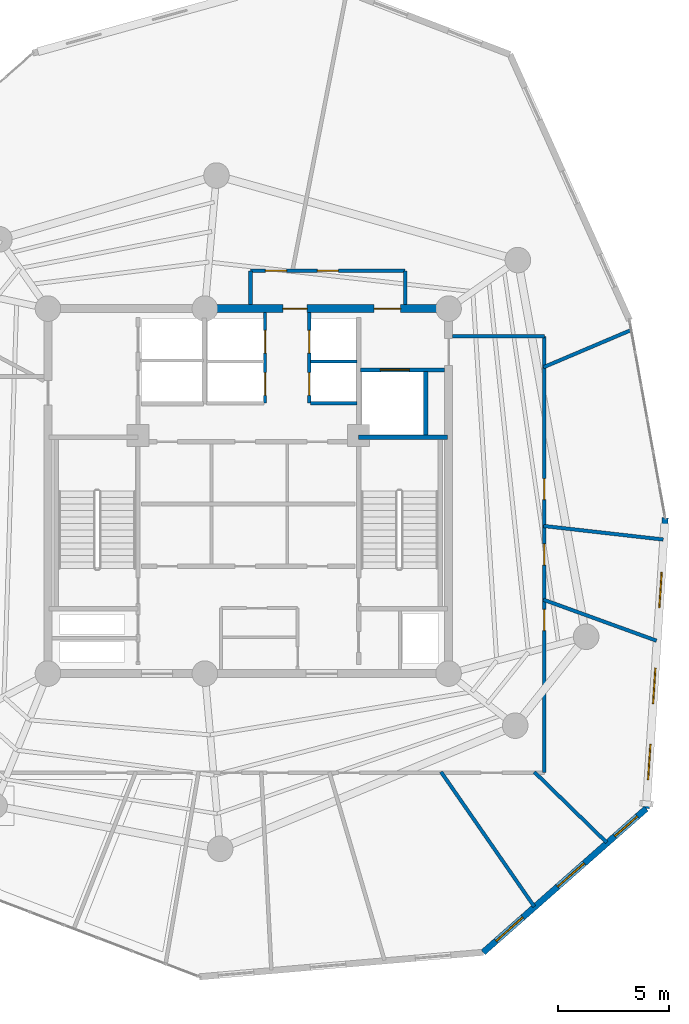
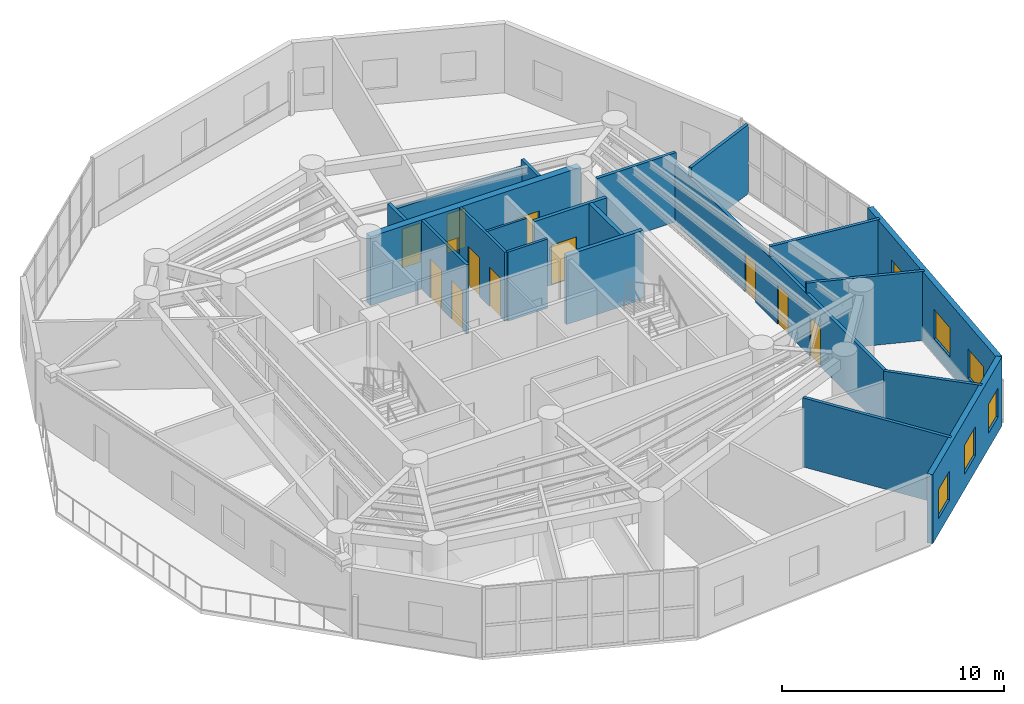
# One storey, part 8 of 12: 20 walls, 12 doors, 6 windows, 18 openings.
"""IFC4 building model written with IfcOpenShell, lengths in metres."""

from ifc_helpers import new_model, si_unit, direction, frame, frame_2d, origin, origin_with_axes, place, context, subcontext, project, spatial, rectangle, extrude, source, transform, mapped, material, layer, layer_set, type_object, element, fill, save


model = new_model("IFC4")

# Units and contexts
model_context = context("Model", 3, precision=1e-05, world=origin(), true_north=direction((0.0, 1.0)))
body_context = subcontext(model_context, "Body", "Model", "MODEL_VIEW")
ifc_project = project(units=[si_unit("LENGTHUNIT", "METRE"), si_unit("AREAUNIT", "SQUARE_METRE"), si_unit("VOLUMEUNIT", "CUBIC_METRE"), si_unit("PLANEANGLEUNIT", "RADIAN"), si_unit("MASSUNIT", "GRAM", prefix="KILO")], contexts=[model_context])

# Site, building, storey
site_placement = place(None, origin())
site = spatial("IfcSite", under=ifc_project, at=site_placement, CompositionType="ELEMENT")
building_placement = place(site_placement, origin())
building = spatial("IfcBuilding", under=site, at=building_placement, Name="Karkom Vertical University and Central Library", CompositionType="ELEMENT")
storey_placement = place(building_placement, frame((0.0, 0.0, 212.89990234375)))
storey = spatial("IfcBuildingStorey", under=building, at=storey_placement, Name="L62", CompositionType="ELEMENT", Elevation=212.89990234375)

# Wall, openings, windows
ifc_material_1 = material(Name="Brick-faced precast concrete C45/55", Category="masonry")
ifc_layer_1 = layer(ifc_material_1, 0.280029296875)
ifc_layer_set_1 = layer_set([ifc_layer_1], Name="Brick-faced precast concrete C45/55")
wall_type_1 = type_object("IfcWallType", Name="ENV-WL-BRK-280", PredefinedType="SOLIDWALL", material=ifc_layer_set_1)
wall_1_placement = place(storey_placement, frame((39.055419921875, 5.775390625, 0.0), z_axis=(0.0, 0.0, 1.0), x_axis=(0.750017300643, 0.661418210164, 0.0)))
wall_1 = element("IfcWall", 1, at=wall_1_placement, inside=storey, type_object=wall_type_1, Name="Level 62 Brick-Faced Precast Facade Wall 04", PredefinedType="SOLIDWALL", context=body_context, shape_type="SweptSolid", body=[
    extrude(rectangle(XDim=9.765625, YDim=0.280029296875, at=frame_2d((4.8828125, 0.0))), origin(), (0.0, 0.0, 1.0), 3.800048828125),
])
opening_1_placement = place(wall_1_placement, frame((0.773193359375, 0.0, 0.85009765625)))
opening_1 = element("IfcOpeningElement", 2, at=opening_1_placement, cuts=wall_1, Name="Opening WN-10", PredefinedType="OPENING", context=body_context, shape_type="SweptSolid", body=[
    extrude(rectangle(XDim=1.60009765625, YDim=1.60009765625, at=frame_2d((0.800048828125, 0.800048828125))), frame((0.0, 0.14990234375, 0.0), z_axis=(0.0, -1.0, 0.0), x_axis=(1.0, 0.0, 0.0)), (0.0, 0.0, 1.0), 0.300048828125),
])
opening_2_placement = place(wall_1_placement, frame((4.455322265625, 0.0, 0.85009765625)))
opening_2 = element("IfcOpeningElement", 3, at=opening_2_placement, cuts=wall_1, Name="Opening WN-10", PredefinedType="OPENING", context=body_context, shape_type="SweptSolid", body=[
    extrude(rectangle(XDim=1.60009765625, YDim=1.60009765625, at=frame_2d((0.800048828125, 0.800048828125))), frame((0.0, 0.14990234375, 0.0), z_axis=(0.0, -1.0, 0.0), x_axis=(1.0, 0.0, 0.0)), (0.0, 0.0, 1.0), 0.300048828125),
])
opening_3_placement = place(wall_1_placement, frame((7.889892578125, 0.0, 0.85009765625)))
opening_3 = element("IfcOpeningElement", 4, at=opening_3_placement, cuts=wall_1, Name="Opening WN-11", PredefinedType="OPENING", context=body_context, shape_type="SweptSolid", body=[
    extrude(rectangle(XDim=1.35009765625, YDim=1.60009765625, at=frame_2d((0.675048828125, 0.800048828125))), frame((0.0, 0.14990234375, 0.0), z_axis=(0.0, -1.0, 0.0), x_axis=(1.0, 0.0, 0.0)), (0.0, 0.0, 1.0), 0.300048828125),
])
ifc_material_2 = material(Name="Aluminium thermal-break frame with solar-control IGU", Category="aluminium")
window_type_1 = type_object("IfcWindowType", Name="ENV-WIN-WN-10", PartitioningType="SINGLE_PANEL", PredefinedType="WINDOW", material=ifc_material_2)
shared_shape_1 = source(origin_with_axes(), body_context, "Body", "SweptSolid", [
    extrude(rectangle(XDim=1.60009765625, YDim=1.60009765625, at=frame_2d((0.800048828125, 0.800048828125))), frame((0.0, 0.030029296875, 0.0), z_axis=(0.0, -1.0, 0.0), x_axis=(1.0, 0.0, 0.0)), (0.0, 0.0, 1.0), 0.06005859375),
])
window_1_placement = place(opening_1_placement, origin())
window_1 = element("IfcWindow", 5, at=window_1_placement, inside=storey, type_object=window_type_1, Name="Level 62 Punched Window 4.1", OverallHeight=1.60009765625, OverallWidth=1.60009765625, PartitioningType="SINGLE_PANEL", PredefinedType="WINDOW", context=body_context, shape_type="MappedRepresentation", body=[
    mapped(shared_shape_1, transform((0.0, 0.0, 0.0), scale=1.0)),
])
fill(opening_1, window_1)
window_2_placement = place(opening_2_placement, origin())
window_2 = element("IfcWindow", 6, at=window_2_placement, inside=storey, type_object=window_type_1, Name="Level 62 Punched Window 4.2", OverallHeight=1.60009765625, OverallWidth=1.60009765625, PartitioningType="SINGLE_PANEL", PredefinedType="WINDOW", context=body_context, shape_type="MappedRepresentation", body=[
    mapped(shared_shape_1, transform((0.0, 0.0, 0.0), scale=1.0)),
])
fill(opening_2, window_2)
window_type_2 = type_object("IfcWindowType", Name="ENV-WIN-WN-11", PartitioningType="SINGLE_PANEL", PredefinedType="WINDOW", material=ifc_material_2)
shared_shape_2 = source(origin_with_axes(), body_context, "Body", "SweptSolid", [
    extrude(rectangle(XDim=1.35009765625, YDim=1.60009765625, at=frame_2d((0.675048828125, 0.800048828125))), frame((0.0, 0.030029296875, 0.0), z_axis=(0.0, -1.0, 0.0), x_axis=(1.0, 0.0, 0.0)), (0.0, 0.0, 1.0), 0.06005859375),
])
window_3_placement = place(opening_3_placement, origin())
window_3 = element("IfcWindow", 7, at=window_3_placement, inside=storey, type_object=window_type_2, Name="Level 62 Punched Window 4.3", OverallHeight=1.60009765625, OverallWidth=1.35009765625, PartitioningType="SINGLE_PANEL", PredefinedType="WINDOW", context=body_context, shape_type="MappedRepresentation", body=[
    mapped(shared_shape_2, transform((0.0, 0.0, 0.0), scale=1.0)),
])
fill(opening_3, window_3)

wall_2_placement = place(storey_placement, frame((46.3798828125, 12.234619140625, 0.0), z_axis=(0.0, 0.0, 1.0), x_axis=(0.065231727885, 0.997870142692, 0.0)))
wall_2 = element("IfcWall", 8, at=wall_2_placement, inside=storey, type_object=wall_type_1, Name="Level 62 Brick-Faced Precast Facade Wall 05", PredefinedType="SOLIDWALL", context=body_context, shape_type="SweptSolid", body=[
    extrude(rectangle(XDim=13.091796875, YDim=0.280029296875, at=frame_2d((6.5458984375, 0.0))), origin(), (0.0, 0.0, 1.0), 3.800048828125),
])
opening_4_placement = place(wall_2_placement, frame((1.296630859375, 0.0, 0.85009765625)))
opening_4 = element("IfcOpeningElement", 9, at=opening_4_placement, cuts=wall_2, Name="Opening WN-10", PredefinedType="OPENING", context=body_context, shape_type="SweptSolid", body=[
    extrude(rectangle(XDim=1.60009765625, YDim=1.60009765625, at=frame_2d((0.800048828125, 0.800048828125))), frame((0.0, 0.14990234375, 0.0), z_axis=(0.0, -1.0, 0.0), x_axis=(1.0, 0.0, 0.0)), (0.0, 0.0, 1.0), 0.300048828125),
])
opening_5_placement = place(wall_2_placement, frame((4.72998046875, 0.0, 0.85009765625)))
opening_5 = element("IfcOpeningElement", 10, at=opening_5_placement, cuts=wall_2, Name="Opening WN-10", PredefinedType="OPENING", context=body_context, shape_type="SweptSolid", body=[
    extrude(rectangle(XDim=1.60009765625, YDim=1.60009765625, at=frame_2d((0.800048828125, 0.800048828125))), frame((0.0, 0.14990234375, 0.0), z_axis=(0.0, -1.0, 0.0), x_axis=(1.0, 0.0, 0.0)), (0.0, 0.0, 1.0), 0.300048828125),
])
opening_6_placement = place(wall_2_placement, frame((9.041015625, 0.0, 0.85009765625)))
opening_6 = element("IfcOpeningElement", 11, at=opening_6_placement, cuts=wall_2, Name="Opening WN-10", PredefinedType="OPENING", context=body_context, shape_type="SweptSolid", body=[
    extrude(rectangle(XDim=1.60009765625, YDim=1.60009765625, at=frame_2d((0.800048828125, 0.800048828125))), frame((0.0, 0.14990234375, 0.0), z_axis=(0.0, -1.0, 0.0), x_axis=(1.0, 0.0, 0.0)), (0.0, 0.0, 1.0), 0.300048828125),
])
window_4_placement = place(opening_4_placement, origin())
window_4 = element("IfcWindow", 12, at=window_4_placement, inside=storey, type_object=window_type_1, Name="Level 62 Punched Window 5.1", OverallHeight=1.60009765625, OverallWidth=1.60009765625, PartitioningType="SINGLE_PANEL", PredefinedType="WINDOW", context=body_context, shape_type="MappedRepresentation", body=[
    mapped(shared_shape_1, transform((0.0, 0.0, 0.0), scale=1.0)),
])
fill(opening_4, window_4)
window_5_placement = place(opening_5_placement, origin())
window_5 = element("IfcWindow", 13, at=window_5_placement, inside=storey, type_object=window_type_1, Name="Level 62 Punched Window 5.2", OverallHeight=1.60009765625, OverallWidth=1.60009765625, PartitioningType="SINGLE_PANEL", PredefinedType="WINDOW", context=body_context, shape_type="MappedRepresentation", body=[
    mapped(shared_shape_1, transform((0.0, 0.0, 0.0), scale=1.0)),
])
fill(opening_5, window_5)
window_6_placement = place(opening_6_placement, origin())
window_6 = element("IfcWindow", 14, at=window_6_placement, inside=storey, type_object=window_type_1, Name="Level 62 Punched Window 5.3", OverallHeight=1.60009765625, OverallWidth=1.60009765625, PartitioningType="SINGLE_PANEL", PredefinedType="WINDOW", context=body_context, shape_type="MappedRepresentation", body=[
    mapped(shared_shape_1, transform((0.0, 0.0, 0.0), scale=1.0)),
])
fill(opening_6, window_6)

# Wall, openings, doors
ifc_material_3 = material(Name="Insulated metal-stud drywall 160mm", Category="gypsum")
ifc_layer_2 = layer(ifc_material_3, 0.159912109375)
ifc_layer_set_2 = layer_set([ifc_layer_2], Name="Insulated metal-stud drywall 160mm")
wall_type_2 = type_object("IfcWallType", Name="INT-WL-COR-160", PredefinedType="PARTITIONING", material=ifc_layer_set_2)
wall_3_placement = place(storey_placement, frame((41.800048828125, 33.449951171875, 0.0), z_axis=(0.0, 0.0, 1.0), x_axis=(0.0, -1.0, 0.0)))
wall_3 = element("IfcWall", 15, at=wall_3_placement, inside=storey, type_object=wall_type_2, Name="Level 62 Interior Partition Wall L62-CORW-CW-005", PredefinedType="PARTITIONING", context=body_context, shape_type="SweptSolid", body=[
    extrude(rectangle(XDim=19.599853515625, YDim=0.159912109375, at=frame_2d((9.7998046875, 0.0))), origin(), (0.0, 0.0, 1.0), 3.25),
])
opening_7_placement = place(wall_3_placement, frame((12.264892578125, 0.0, 0.0)))
opening_7 = element("IfcOpeningElement", 16, at=opening_7_placement, cuts=wall_3, Name="Opening D-RM1", PredefinedType="OPENING", context=body_context, shape_type="SweptSolid", body=[
    extrude(rectangle(XDim=0.949951171875, YDim=2.14990234375, at=frame_2d((0.47509765625, 1.074951171875))), frame((0.0, 0.08984375, 0.0), z_axis=(0.0, -1.0, 0.0), x_axis=(1.0, 0.0, 0.0)), (0.0, 0.0, 1.0), 0.179931640625),
])
opening_8_placement = place(wall_3_placement, frame((9.324951171875, 0.0, 0.0)))
opening_8 = element("IfcOpeningElement", 17, at=opening_8_placement, cuts=wall_3, Name="Opening D-RM1", PredefinedType="OPENING", context=body_context, shape_type="SweptSolid", body=[
    extrude(rectangle(XDim=0.949951171875, YDim=2.14990234375, at=frame_2d((0.47509765625, 1.074951171875))), frame((0.0, 0.08984375, 0.0), z_axis=(0.0, -1.0, 0.0), x_axis=(1.0, 0.0, 0.0)), (0.0, 0.0, 1.0), 0.179931640625),
])
opening_9_placement = place(wall_3_placement, frame((6.385009765625, 0.0, 0.0)))
opening_9 = element("IfcOpeningElement", 18, at=opening_9_placement, cuts=wall_3, Name="Opening D-RM1", PredefinedType="OPENING", context=body_context, shape_type="SweptSolid", body=[
    extrude(rectangle(XDim=0.949951171875, YDim=2.14990234375, at=frame_2d((0.47509765625, 1.074951171875))), frame((0.0, 0.08984375, 0.0), z_axis=(0.0, -1.0, 0.0), x_axis=(1.0, 0.0, 0.0)), (0.0, 0.0, 1.0), 0.179931640625),
])
ifc_material_4 = material(Name="Solid-core oak veneer door", Category="wood")
door_type_1 = type_object("IfcDoorType", Name="INT-DR-RM1", OperationType="NOTDEFINED", PredefinedType="DOOR", material=ifc_material_4)
shared_shape_3 = source(origin_with_axes(), body_context, "Body", "SweptSolid", [
    extrude(rectangle(XDim=0.949951171875, YDim=2.14990234375, at=frame_2d((0.47509765625, 1.074951171875))), frame((0.0, 0.02490234375, 0.0), z_axis=(0.0, -1.0, 0.0), x_axis=(1.0, 0.0, 0.0)), (0.0, 0.0, 1.0), 0.050048828125),
])
door_1_placement = place(opening_7_placement, origin())
door_1 = element("IfcDoor", 19, at=door_1_placement, inside=storey, type_object=door_type_1, Name="Level 62 Room Entry Door 080", OperationType="SINGLE_SWING_RIGHT", OverallHeight=2.14990234375, OverallWidth=0.949951171875, PredefinedType="DOOR", context=body_context, shape_type="MappedRepresentation", body=[
    mapped(shared_shape_3, transform((0.0, 0.0, 0.0), scale=1.0)),
])
fill(opening_7, door_1)
door_2_placement = place(opening_8_placement, origin())
door_2 = element("IfcDoor", 20, at=door_2_placement, inside=storey, type_object=door_type_1, Name="Level 62 Room Entry Door 090", OperationType="SINGLE_SWING_LEFT", OverallHeight=2.14990234375, OverallWidth=0.949951171875, PredefinedType="DOOR", context=body_context, shape_type="MappedRepresentation", body=[
    mapped(shared_shape_3, transform((0.0, 0.0, 0.0), scale=1.0)),
])
fill(opening_8, door_2)
door_3_placement = place(opening_9_placement, origin())
door_3 = element("IfcDoor", 21, at=door_3_placement, inside=storey, type_object=door_type_1, Name="Level 62 Room Entry Door 100", OperationType="SINGLE_SWING_RIGHT", OverallHeight=2.14990234375, OverallWidth=0.949951171875, PredefinedType="DOOR", context=body_context, shape_type="MappedRepresentation", body=[
    mapped(shared_shape_3, transform((0.0, 0.0, 0.0), scale=1.0)),
])
fill(opening_9, door_3)

# Wall
wall_4_placement = place(storey_placement, frame((37.1591796875, 13.886962890625, 0.0), z_axis=(0.0, 0.0, 1.0), x_axis=(0.569228944135, -0.822179061494, 0.0)))
element("IfcWall", 22, at=wall_4_placement, inside=storey, type_object=wall_type_2, Name="Level 62 Interior Partition Wall L62-PW-010", PredefinedType="PARTITIONING", context=body_context, shape_type="SweptSolid", body=[
    extrude(rectangle(XDim=7.36328125, YDim=0.159912109375, at=frame_2d((3.681640625, 0.0))), origin(), (0.0, 0.0, 1.0), 3.800048828125),
])

# Wall, openings, doors
wall_5_placement = place(storey_placement, frame((28.60009765625, 36.39990234375, 0.0), z_axis=(0.0, 0.0, 1.0), x_axis=(1.0, 0.0, 0.0)))
wall_5 = element("IfcWall", 23, at=wall_5_placement, inside=storey, type_object=wall_type_2, Name="Level 62 Interior Partition Wall L62-CORW-CW-007", PredefinedType="PARTITIONING", context=body_context, shape_type="SweptSolid", body=[
    extrude(rectangle(XDim=6.949951171875, YDim=0.159912109375, at=frame_2d((3.47509765625, 0.0))), origin(), (0.0, 0.0, 1.0), 3.400146484375),
])
opening_10_placement = place(wall_5_placement, frame((3.0, 0.0, 0.0)))
opening_10 = element("IfcOpeningElement", 24, at=opening_10_placement, cuts=wall_5, Name="Opening D-RM1", PredefinedType="OPENING", context=body_context, shape_type="SweptSolid", body=[
    extrude(rectangle(XDim=0.949951171875, YDim=2.14990234375, at=frame_2d((0.47509765625, 1.074951171875))), frame((0.0, 0.08984375, 0.0), z_axis=(0.0, -1.0, 0.0), x_axis=(1.0, 0.0, 0.0)), (0.0, 0.0, 1.0), 0.179931640625),
])
opening_11_placement = place(wall_5_placement, frame((0.672607421875, 0.0, 0.0)))
opening_11 = element("IfcOpeningElement", 25, at=opening_11_placement, cuts=wall_5, Name="Opening D-RM1", PredefinedType="OPENING", context=body_context, shape_type="SweptSolid", body=[
    extrude(rectangle(XDim=0.949951171875, YDim=2.14990234375, at=frame_2d((0.47509765625, 1.074951171875))), frame((0.0, 0.08984375, 0.0), z_axis=(0.0, -1.0, 0.0), x_axis=(1.0, 0.0, 0.0)), (0.0, 0.0, 1.0), 0.179931640625),
])
door_4_placement = place(opening_10_placement, origin())
door_4 = element("IfcDoor", 26, at=door_4_placement, inside=storey, type_object=door_type_1, Name="Level 62 Room Entry Door 110", OperationType="SINGLE_SWING_LEFT", OverallHeight=2.14990234375, OverallWidth=0.949951171875, PredefinedType="DOOR", context=body_context, shape_type="MappedRepresentation", body=[
    mapped(shared_shape_3, transform((0.0, 0.0, 0.0), scale=1.0)),
])
fill(opening_10, door_4)
door_5_placement = place(opening_11_placement, origin())
door_5 = element("IfcDoor", 27, at=door_5_placement, inside=storey, type_object=door_type_1, Name="Level 62 Room Entry Door 120", OperationType="SINGLE_SWING_RIGHT", OverallHeight=2.14990234375, OverallWidth=0.949951171875, PredefinedType="DOOR", context=body_context, shape_type="MappedRepresentation", body=[
    mapped(shared_shape_3, transform((0.0, 0.0, 0.0), scale=1.0)),
])
fill(opening_11, door_5)

# Walls
wall_6_placement = place(storey_placement, frame((41.770263671875, 24.93359375, 0.0), z_axis=(0.0, 0.0, 1.0), x_axis=(0.993623998943, -0.112744617277, 0.0)))
element("IfcWall", 28, at=wall_6_placement, inside=storey, type_object=wall_type_2, Name="Level 62 Interior Partition Wall L62-PW-013", PredefinedType="PARTITIONING", context=body_context, shape_type="SweptSolid", body=[
    extrude(rectangle(XDim=5.4091796875, YDim=0.159912109375, at=frame_2d((2.70458984375, 0.0))), origin(), (0.0, 0.0, 1.0), 3.800048828125),
])
wall_7_placement = place(storey_placement, frame((41.7578125, 21.6240234375, 0.0), z_axis=(0.0, 0.0, 1.0), x_axis=(0.939993446989, -0.341192496426, 0.0)))
element("IfcWall", 29, at=wall_7_placement, inside=storey, type_object=wall_type_2, Name="Level 62 Interior Partition Wall L62-PW-012", PredefinedType="PARTITIONING", context=body_context, shape_type="SweptSolid", body=[
    extrude(rectangle(XDim=5.412353515625, YDim=0.159912109375, at=frame_2d((2.7060546875, 0.0))), origin(), (0.0, 0.0, 1.0), 3.800048828125),
])
wall_8_placement = place(storey_placement, frame((41.35302734375, 13.88134765625, 0.0), z_axis=(0.0, 0.0, 1.0), x_axis=(0.715908902614, -0.698193700314, 0.0)))
element("IfcWall", 30, at=wall_8_placement, inside=storey, type_object=wall_type_2, Name="Level 62 Interior Partition Wall L62-PW-011", PredefinedType="PARTITIONING", context=body_context, shape_type="SweptSolid", body=[
    extrude(rectangle(XDim=4.5478515625, YDim=0.159912109375, at=frame_2d((2.27392578125, 0.0))), origin(), (0.0, 0.0, 1.0), 3.800048828125),
])
wall_9_placement = place(storey_placement, frame((41.758544921875, 32.062744140625, 0.0), z_axis=(0.0, 0.0, 1.0), x_axis=(0.920507541963, 0.390724794695, 0.0)))
element("IfcWall", 31, at=wall_9_placement, inside=storey, type_object=wall_type_2, Name="Level 62 Interior Partition Wall L62-PW-014", PredefinedType="PARTITIONING", context=body_context, shape_type="SweptSolid", body=[
    extrude(rectangle(XDim=4.2646484375, YDim=0.159912109375, at=frame_2d((2.13232421875, 0.0))), origin(), (0.0, 0.0, 1.0), 3.800048828125),
])
wall_10_placement = place(storey_placement, frame((37.681884765625, 33.449951171875, 0.0), z_axis=(0.0, 0.0, 1.0), x_axis=(1.0, 0.0, 0.0)))
element("IfcWall", 32, at=wall_10_placement, inside=storey, type_object=wall_type_2, Name="Level 62 Interior Partition Wall L62-CORW-CW-004", PredefinedType="PARTITIONING", context=body_context, shape_type="SweptSolid", body=[
    extrude(rectangle(XDim=4.1181640625, YDim=0.159912109375, at=frame_2d((2.05908203125, 0.0))), origin(), (0.0, 0.0, 1.0), 3.800048828125),
])
for number, where, z_axis, x_axis, name in (
    (33, (28.60009765625, 34.882080078125, 0.0), (0.0, 0.0, 1.0), (0.0, 1.0, 0.0), "Level 62 Interior Partition Wall L62-CORW-CW-006"),
    (34, (35.550048828125, 36.39990234375, 0.0), (0.0, 0.0, 1.0), (0.0, -1.0, 0.0), "Level 62 Interior Partition Wall L62-CORW-CW-008"),
):
    element("IfcWall", number, at=place(storey_placement, frame(where, z_axis=z_axis, x_axis=x_axis)), inside=storey, type_object=wall_type_2, Name=name, PredefinedType="PARTITIONING", context=body_context, shape_type="SweptSolid", body=[
        extrude(rectangle(XDim=1.517822265625, YDim=0.159912109375, at=frame_2d((0.7587890625, 0.0))), origin(), (0.0, 0.0, 1.0), 3.800048828125),
    ])
ifc_material_5 = material(Name="Moisture-resistant drywall 120mm", Category="gypsum")
ifc_layer_3 = layer(ifc_material_5, 0.1201171875)
ifc_layer_set_3 = layer_set([ifc_layer_3], Name="Moisture-resistant drywall 120mm")
wall_type_3 = type_object("IfcWallType", Name="INT-WL-INT-120H", PredefinedType="PARTITIONING", material=ifc_layer_set_3)
wall_11_placement = place(storey_placement, frame((31.300048828125, 32.320068359375, 0.0), z_axis=(0.0, 0.0, 1.0), x_axis=(1.0, 0.0, 0.0)))
element("IfcWall", 35, at=wall_11_placement, inside=storey, type_object=wall_type_3, Name="Level 62 Interior Partition Wall L62-CW-PH-ME", PredefinedType="PARTITIONING", context=body_context, shape_type="SweptSolid", body=[
    extrude(rectangle(XDim=2.074951171875, YDim=0.1201171875, at=frame_2d((1.03759765625, 0.0))), origin(), (0.0, 0.0, 1.0), 3.800048828125),
])

# Wall, openings, doors
ifc_material_6 = material(Name="Metal-stud gypsum partition 140mm", Category="gypsum")
ifc_layer_4 = layer(ifc_material_6, 0.139892578125)
ifc_layer_set_4 = layer_set([ifc_layer_4], Name="Metal-stud gypsum partition 140mm")
wall_type_4 = type_object("IfcWallType", Name="INT-WL-SUB-140H", PredefinedType="PARTITIONING", material=ifc_layer_set_4)
wall_12_placement = place(storey_placement, frame((29.260009765625, 30.449951171875, 0.0), z_axis=(0.0, 0.0, 1.0), x_axis=(0.0, 1.0, 0.0)))
wall_12 = element("IfcWall", 36, at=wall_12_placement, inside=storey, type_object=wall_type_4, Name="Level 62 Interior Partition Wall L62-CW-PH-W", PredefinedType="PARTITIONING", context=body_context, shape_type="SweptSolid", body=[
    extrude(rectangle(XDim=4.068115234375, YDim=0.139892578125, at=frame_2d((2.0341796875, 0.0))), origin(), (0.0, 0.0, 1.0), 3.800048828125),
])
opening_12_placement = place(wall_12_placement, frame((0.35009765625, 0.0, 0.0)))
opening_12 = element("IfcOpeningElement", 37, at=opening_12_placement, cuts=wall_12, Name="Opening LD-PH", PredefinedType="OPENING", context=body_context, shape_type="SweptSolid", body=[
    extrude(rectangle(XDim=1.02001953125, YDim=2.14990234375, at=frame_2d((0.510009765625, 1.074951171875))), frame((0.0, 0.080078125, 0.0), z_axis=(0.0, -1.0, 0.0), x_axis=(1.0, 0.0, 0.0)), (0.0, 0.0, 1.0), 0.159912109375),
])
opening_13_placement = place(wall_12_placement, frame((2.25, 0.0, 0.0)))
opening_13 = element("IfcOpeningElement", 38, at=opening_13_placement, cuts=wall_12, Name="Opening LD-PH", PredefinedType="OPENING", context=body_context, shape_type="SweptSolid", body=[
    extrude(rectangle(XDim=1.02001953125, YDim=2.14990234375, at=frame_2d((0.510009765625, 1.074951171875))), frame((0.0, 0.080078125, 0.0), z_axis=(0.0, -1.0, 0.0), x_axis=(1.0, 0.0, 0.0)), (0.0, 0.0, 1.0), 0.159912109375),
])
ifc_material_7 = material(Name="Brushed stainless-steel landing door", Category="steel")
door_type_2 = type_object("IfcDoorType", Name="INT-DR-LD-PH", OperationType="SLIDING_TO_LEFT", PredefinedType="DOOR", material=ifc_material_7)
shared_shape_4 = source(origin_with_axes(), body_context, "Body", "SweptSolid", [
    extrude(rectangle(XDim=1.02001953125, YDim=2.14990234375, at=frame_2d((0.510009765625, 1.074951171875))), frame((0.0, 0.02490234375, 0.0), z_axis=(0.0, -1.0, 0.0), x_axis=(1.0, 0.0, 0.0)), (0.0, 0.0, 1.0), 0.050048828125),
])
door_6_placement = place(opening_12_placement, origin())
door_6 = element("IfcDoor", 39, at=door_6_placement, inside=storey, type_object=door_type_2, Name="Level 62 Lift PH-1 Landing Door", OperationType="SLIDING_TO_LEFT", OverallHeight=2.14990234375, OverallWidth=1.02001953125, PredefinedType="DOOR", context=body_context, shape_type="MappedRepresentation", body=[
    mapped(shared_shape_4, transform((0.0, 0.0, 0.0), scale=1.0)),
])
fill(opening_12, door_6)
door_7_placement = place(opening_13_placement, origin())
door_7 = element("IfcDoor", 40, at=door_7_placement, inside=storey, type_object=door_type_2, Name="Level 62 Lift PH-2 Landing Door", OperationType="SLIDING_TO_LEFT", OverallHeight=2.14990234375, OverallWidth=1.02001953125, PredefinedType="DOOR", context=body_context, shape_type="MappedRepresentation", body=[
    mapped(shared_shape_4, transform((0.0, 0.0, 0.0), scale=1.0)),
])
fill(opening_13, door_7)

wall_13_placement = place(storey_placement, frame((31.239990234375, 30.449951171875, 0.0), z_axis=(0.0, 0.0, 1.0), x_axis=(0.0, 1.0, 0.0)))
wall_13 = element("IfcWall", 41, at=wall_13_placement, inside=storey, type_object=wall_type_4, Name="Level 62 Interior Partition Wall L62-CW-PH-E", PredefinedType="PARTITIONING", context=body_context, shape_type="SweptSolid", body=[
    extrude(rectangle(XDim=4.068115234375, YDim=0.139892578125, at=frame_2d((2.0341796875, 0.0))), origin(), (0.0, 0.0, 1.0), 3.800048828125),
])
opening_14_placement = place(wall_13_placement, frame((0.35009765625, 0.0, 0.0)))
opening_14 = element("IfcOpeningElement", 42, at=opening_14_placement, cuts=wall_13, Name="Opening LD-PH", PredefinedType="OPENING", context=body_context, shape_type="SweptSolid", body=[
    extrude(rectangle(XDim=1.02001953125, YDim=2.14990234375, at=frame_2d((0.510009765625, 1.074951171875))), frame((0.0, 0.080078125, 0.0), z_axis=(0.0, -1.0, 0.0), x_axis=(1.0, 0.0, 0.0)), (0.0, 0.0, 1.0), 0.159912109375),
])
opening_15_placement = place(wall_13_placement, frame((2.25, 0.0, 0.0)))
opening_15 = element("IfcOpeningElement", 43, at=opening_15_placement, cuts=wall_13, Name="Opening LD-PH", PredefinedType="OPENING", context=body_context, shape_type="SweptSolid", body=[
    extrude(rectangle(XDim=1.02001953125, YDim=2.14990234375, at=frame_2d((0.510009765625, 1.074951171875))), frame((0.0, 0.080078125, 0.0), z_axis=(0.0, -1.0, 0.0), x_axis=(1.0, 0.0, 0.0)), (0.0, 0.0, 1.0), 0.159912109375),
])
door_8_placement = place(opening_14_placement, origin())
door_8 = element("IfcDoor", 44, at=door_8_placement, inside=storey, type_object=door_type_2, Name="Level 62 Lift PH-3 Landing Door", OperationType="SLIDING_TO_LEFT", OverallHeight=2.14990234375, OverallWidth=1.02001953125, PredefinedType="DOOR", context=body_context, shape_type="MappedRepresentation", body=[
    mapped(shared_shape_4, transform((0.0, 0.0, 0.0), scale=1.0)),
])
fill(opening_14, door_8)
door_9_placement = place(opening_15_placement, origin())
door_9 = element("IfcDoor", 45, at=door_9_placement, inside=storey, type_object=door_type_2, Name="Level 62 Lift PH-4 Landing Door", OperationType="SLIDING_TO_LEFT", OverallHeight=2.14990234375, OverallWidth=1.02001953125, PredefinedType="DOOR", context=body_context, shape_type="MappedRepresentation", body=[
    mapped(shared_shape_4, transform((0.0, 0.0, 0.0), scale=1.0)),
])
fill(opening_15, door_9)

# Wall
wall_14_placement = place(storey_placement, frame((31.300048828125, 30.449951171875, 0.0), z_axis=(0.0, 0.0, 1.0), x_axis=(1.0, 0.0, 0.0)))
element("IfcWall", 46, at=wall_14_placement, inside=storey, type_object=wall_type_4, Name="Level 62 Interior Partition Wall L62-CW-PH-S2", PredefinedType="PARTITIONING", context=body_context, shape_type="SweptSolid", body=[
    extrude(rectangle(XDim=2.074951171875, YDim=0.139892578125, at=frame_2d((1.03759765625, 0.0))), origin(), (0.0, 0.0, 1.0), 3.800048828125),
])

# Wall, opening, door
ifc_material_8 = material(Name="Twin-stud acoustic drywall 180mm", Category="gypsum")
ifc_layer_5 = layer(ifc_material_8, 0.179931640625)
ifc_layer_set_5 = layer_set([ifc_layer_5], Name="Twin-stud acoustic drywall 180mm")
wall_type_5 = type_object("IfcWallType", Name="INT-WL-TEN-180F", PredefinedType="PARTITIONING", material=ifc_layer_set_5)
wall_15_placement = place(storey_placement, frame((33.534912109375, 31.949951171875, 0.0), z_axis=(0.0, 0.0, 1.0), x_axis=(1.0, 0.0, 0.0)))
wall_15 = element("IfcWall", 47, at=wall_15_placement, inside=storey, type_object=wall_type_5, Name="Level 62 Interior Partition Wall L62-CW-SVL-N", PredefinedType="PARTITIONING", context=body_context, shape_type="SweptSolid", body=[
    extrude(rectangle(XDim=3.783935546875, YDim=0.179931640625, at=frame_2d((1.89208984375, 0.0))), origin(), (0.0, 0.0, 1.0), 3.800048828125),
])
opening_16_placement = place(wall_15_placement, frame((0.89990234375, 0.0, 0.0)))
opening_16 = element("IfcOpeningElement", 48, at=opening_16_placement, cuts=wall_15, Name="Opening LD-SV1", PredefinedType="OPENING", context=body_context, shape_type="SweptSolid", body=[
    extrude(rectangle(XDim=1.300048828125, YDim=2.199951171875, at=frame_2d((0.64990234375, 1.10009765625))), frame((0.0, 0.10009765625, 0.0), z_axis=(0.0, -1.0, 0.0), x_axis=(1.0, 0.0, 0.0)), (0.0, 0.0, 1.0), 0.199951171875),
])
door_type_3 = type_object("IfcDoorType", Name="INT-DR-LD-SV1", OperationType="SLIDING_TO_LEFT", PredefinedType="DOOR", material=ifc_material_7)
shared_shape_5 = source(origin_with_axes(), body_context, "Body", "SweptSolid", [
    extrude(rectangle(XDim=1.300048828125, YDim=2.199951171875, at=frame_2d((0.64990234375, 1.10009765625))), frame((0.0, 0.02490234375, 0.0), z_axis=(0.0, -1.0, 0.0), x_axis=(1.0, 0.0, 0.0)), (0.0, 0.0, 1.0), 0.050048828125),
])
door_10_placement = place(opening_16_placement, origin())
door_10 = element("IfcDoor", 49, at=door_10_placement, inside=storey, type_object=door_type_3, Name="Level 62 Service Lift Landing Door LD-SV1", OperationType="SLIDING_TO_LEFT", OverallHeight=2.199951171875, OverallWidth=1.300048828125, PredefinedType="DOOR", context=body_context, shape_type="MappedRepresentation", body=[
    mapped(shared_shape_5, transform((0.0, 0.0, 0.0), scale=1.0)),
])
fill(opening_16, door_10)

# Wall, openings, doors
ifc_material_9 = material(Name="Concrete C45/55", Category="concrete")
ifc_layer_6 = layer(ifc_material_9, 0.35009765625)
ifc_layer_set_6 = layer_set([ifc_layer_6], Name="Concrete C45/55")
wall_type_6 = type_object("IfcWallType", Name="STR-WL-CW-350", PredefinedType="SHEAR", material=ifc_layer_set_6)
wall_16_placement = place(storey_placement, frame((37.5, 34.699951171875, 0.0), z_axis=(0.0, 0.0, 1.0), x_axis=(-1.0, 0.0, 0.0)))
wall_16 = element("IfcWall", 50, at=wall_16_placement, inside=storey, type_object=wall_type_6, Name="Level 62 Central Core Shear Wall NW1", PredefinedType="SHEAR", context=body_context, shape_type="SweptSolid", body=[
    extrude(rectangle(XDim=10.949951171875, YDim=0.35009765625, at=frame_2d((5.47509765625, 0.0))), origin(), (0.0, 0.0, 1.0), 3.800048828125),
])
opening_17_placement = place(wall_16_placement, frame((2.14990234375, 0.0, 0.0)))
opening_17 = element("IfcOpeningElement", 51, at=opening_17_placement, cuts=wall_16, Name="Opening FD-SUB1", PredefinedType="OPENING", context=body_context, shape_type="SweptSolid", body=[
    extrude(rectangle(XDim=1.199951171875, YDim=2.14990234375, at=frame_2d((0.60009765625, 1.074951171875))), frame((0.0, 0.18505859375, 0.0), z_axis=(0.0, -1.0, 0.0), x_axis=(1.0, 0.0, 0.0)), (0.0, 0.0, 1.0), 0.3701171875),
])
opening_18_placement = place(wall_16_placement, frame((6.35009765625, 0.0, 0.0)))
opening_18 = element("IfcOpeningElement", 52, at=opening_18_placement, cuts=wall_16, Name="Opening FD-FFL", PredefinedType="OPENING", context=body_context, shape_type="SweptSolid", body=[
    extrude(rectangle(XDim=1.10009765625, YDim=2.14990234375, at=frame_2d((0.550048828125, 1.074951171875))), frame((0.0, 0.18505859375, 0.0), z_axis=(0.0, -1.0, 0.0), x_axis=(1.0, 0.0, 0.0)), (0.0, 0.0, 1.0), 0.3701171875),
])
ifc_material_10 = material(Name="Painted steel smoke-seal fire door", Category="steel")
door_type_4 = type_object("IfcDoorType", Name="INT-DR-FFL", OperationType="NOTDEFINED", PredefinedType="DOOR", material=ifc_material_10)
shared_shape_6 = source(origin_with_axes(), body_context, "Body", "SweptSolid", [
    extrude(rectangle(XDim=1.10009765625, YDim=2.14990234375, at=frame_2d((0.550048828125, 1.074951171875))), frame((0.0, 0.02490234375, 0.0), z_axis=(0.0, -1.0, 0.0), x_axis=(1.0, 0.0, 0.0)), (0.0, 0.0, 1.0), 0.050048828125),
])
door_11_placement = place(opening_18_placement, origin())
door_11 = element("IfcDoor", 53, at=door_11_placement, inside=storey, type_object=door_type_4, Name="Level 62 North Core Lobby Exit Door", OperationType="SINGLE_SWING_LEFT", OverallHeight=2.14990234375, OverallWidth=1.10009765625, PredefinedType="DOOR", context=body_context, shape_type="MappedRepresentation", body=[
    mapped(shared_shape_6, transform((0.0, 0.0, 0.0), scale=1.0)),
])
fill(opening_18, door_11)
ifc_material_11 = material(Name="Painted steel fire door", Category="steel")
door_type_5 = type_object("IfcDoorType", Name="INT-DR-SUB1", OperationType="NOTDEFINED", PredefinedType="DOOR", material=ifc_material_11)
shared_shape_7 = source(origin_with_axes(), body_context, "Body", "SweptSolid", [
    extrude(rectangle(XDim=1.199951171875, YDim=2.14990234375, at=frame_2d((0.60009765625, 1.074951171875))), frame((0.0, 0.02490234375, 0.0), z_axis=(0.0, -1.0, 0.0), x_axis=(1.0, 0.0, 0.0)), (0.0, 0.0, 1.0), 0.050048828125),
])
door_12_placement = place(opening_17_placement, origin())
door_12 = element("IfcDoor", 54, at=door_12_placement, inside=storey, type_object=door_type_5, Name="Level 62 Service Lobby Fire Door", OperationType="SINGLE_SWING_LEFT", OverallHeight=2.14990234375, OverallWidth=1.199951171875, PredefinedType="DOOR", context=body_context, shape_type="MappedRepresentation", body=[
    mapped(shared_shape_7, transform((0.0, 0.0, 0.0), scale=1.0)),
])
fill(opening_17, door_12)

# Walls
ifc_layer_7 = layer(ifc_material_9, 0.199951171875)
ifc_layer_set_7 = layer_set([ifc_layer_7], Name="Concrete C45/55")
wall_type_7 = type_object("IfcWallType", Name="STR-WL-ST-200", PredefinedType="SHEAR", material=ifc_layer_set_7)
wall_17_placement = place(storey_placement, frame((33.455078125, 28.925048828125, 0.0), z_axis=(0.0, 0.0, 1.0), x_axis=(1.0, 0.0, 0.0)))
element("IfcWall", 55, at=wall_17_placement, inside=storey, type_object=wall_type_7, Name="Level 62 Core Shaft Wall L62-CW-ST2-N", PredefinedType="SHEAR", context=body_context, shape_type="SweptSolid", body=[
    extrude(rectangle(XDim=3.994873046875, YDim=0.199951171875, at=frame_2d((1.99755859375, 0.0))), origin(), (0.0, 0.0, 1.0), 3.800048828125),
])
wall_18_placement = place(storey_placement, frame((36.47998046875, 29.02001953125, 0.0), z_axis=(0.0, 0.0, 1.0), x_axis=(0.0, 1.0, 0.0)))
element("IfcWall", 56, at=wall_18_placement, inside=storey, type_object=wall_type_7, Name="Level 62 Core Shaft Wall L62-CW-SVL-E", PredefinedType="SHEAR", context=body_context, shape_type="SweptSolid", body=[
    extrude(rectangle(XDim=2.85986328125, YDim=0.199951171875, at=frame_2d((1.429931640625, 0.0))), origin(), (0.0, 0.0, 1.0), 3.800048828125),
])

save(model, "model.ifc")
